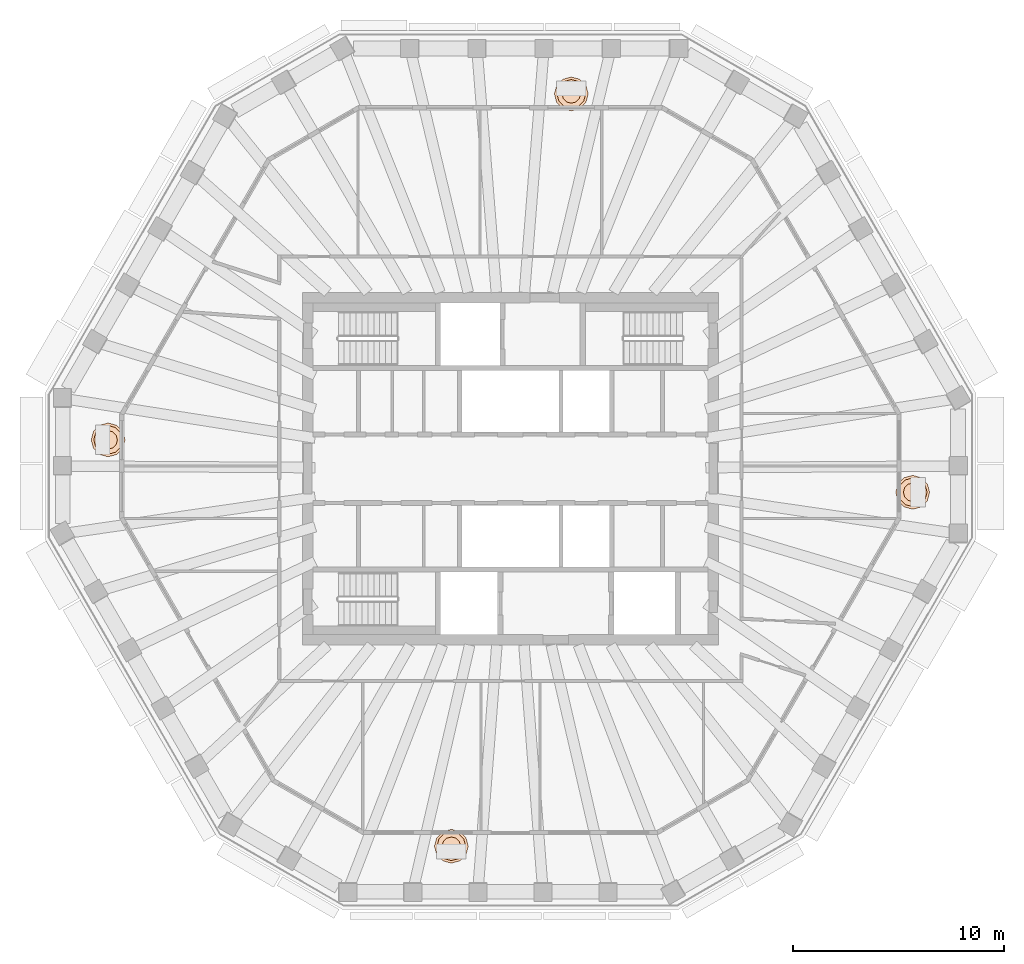
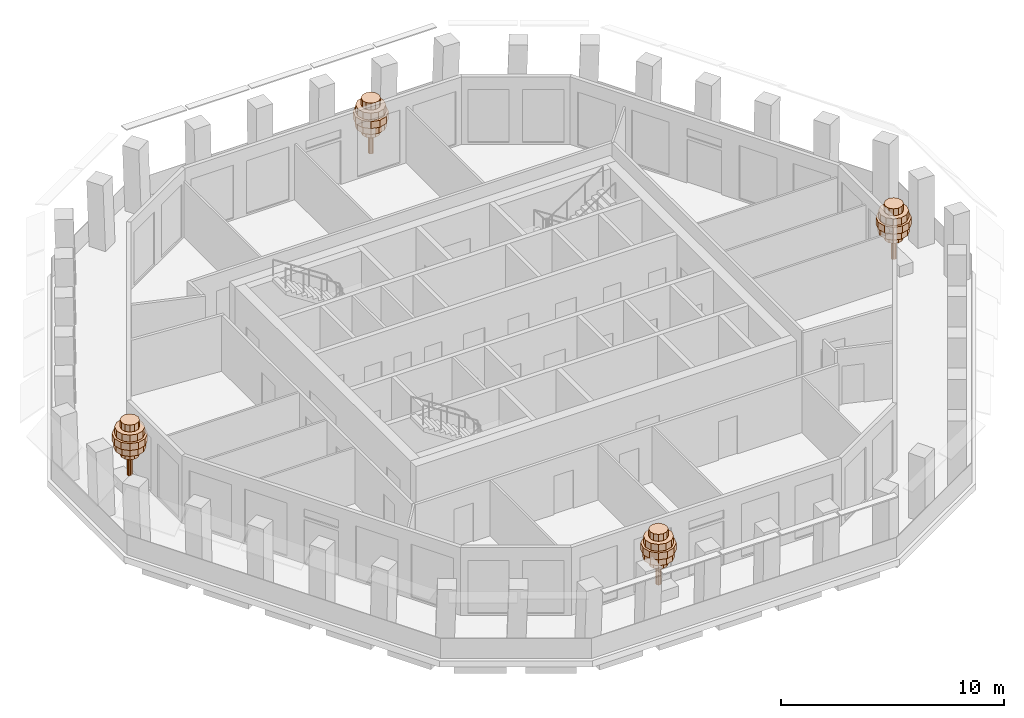
# One storey, part 11 of 11: 4 geographic elements.
"""IFC4 building model written with IfcOpenShell, lengths in metres."""

from ifc_helpers import new_model, si_unit, direction, frame, origin, place, context, subcontext, project, spatial, polyline, outline, extrude, material, type_object, element, save


model = new_model("IFC4")

# Units and contexts
model_context = context("Model", 3, precision=1e-05, world=origin(), true_north=direction((0.0, 1.0)))
body_context = subcontext(model_context, "Body", "Model", "MODEL_VIEW")
ifc_project = project(units=[si_unit("LENGTHUNIT", "METRE"), si_unit("AREAUNIT", "SQUARE_METRE"), si_unit("VOLUMEUNIT", "CUBIC_METRE"), si_unit("PLANEANGLEUNIT", "RADIAN"), si_unit("MASSUNIT", "GRAM", prefix="KILO")], contexts=[model_context])

# Site, building, storey
site_placement = place(None, origin())
site = spatial("IfcSite", under=ifc_project, at=site_placement, CompositionType="ELEMENT")
building_placement = place(site_placement, origin())
building = spatial("IfcBuilding", under=site, at=building_placement, Name="Frailejon Research Tower", CompositionType="ELEMENT")
storey_placement = place(building_placement, frame((0.0, 0.0, 312.60009765625)))
storey = spatial("IfcBuildingStorey", under=building, at=storey_placement, Name="L69", CompositionType="ELEMENT", Elevation=312.60009765625)

# Geographic elements
ifc_material = material(Name="Foliage, green")
geographic_element_type = type_object("IfcGeographicElementType", Name="Frailejon tree, loggia", PredefinedType="USERDEFINED", material=ifc_material)
geographic_element_1_placement = place(storey_placement, frame((19.050048828125, -1.115478515625, 0.599853515625)))
element("IfcGeographicElement", 1, at=geographic_element_1_placement, inside=storey, type_object=geographic_element_type, Name="Tree L69", ObjectType="TREE", PredefinedType="USERDEFINED", context=body_context, shape_type="SweptSolid", body=[
    extrude(outline(polyline([(0.1298828125, 0.0), (0.112548828125, 0.06494140625), (0.06494140625, 0.112548828125), (0.0, 0.1298828125), (-0.06494140625, 0.112548828125), (-0.112548828125, 0.06494140625), (-0.1298828125, 0.0), (-0.112548828125, -0.06494140625), (-0.06494140625, -0.112548828125), (0.0, -0.1298828125), (0.06494140625, -0.112548828125), (0.112548828125, -0.06494140625), (0.1298828125, 0.0)])), origin(), (0.0, 0.0, 1.0), 2.239990234375),
    extrude(outline(polyline([(0.43994140625, 0.0), (0.381103515625, 0.219970703125), (0.219970703125, 0.381103515625), (0.0, 0.43994140625), (-0.219970703125, 0.381103515625), (-0.381103515625, 0.219970703125), (-0.43994140625, 0.0), (-0.381103515625, -0.219970703125), (-0.219970703125, -0.381103515625), (0.0, -0.43994140625), (0.219970703125, -0.381103515625), (0.381103515625, -0.219970703125), (0.43994140625, 0.0)])), frame((0.0, 0.0, 1.10009765625)), (0.0, 0.0, 1.0), 0.3798828125),
    extrude(outline(polyline([(0.719970703125, 0.0), (0.62353515625, 0.360107421875), (0.360107421875, 0.62353515625), (0.0, 0.719970703125), (-0.360107421875, 0.62353515625), (-0.62353515625, 0.360107421875), (-0.719970703125, 0.0), (-0.62353515625, -0.360107421875), (-0.360107421875, -0.62353515625), (0.0, -0.719970703125), (0.360107421875, -0.62353515625), (0.62353515625, -0.360107421875), (0.719970703125, 0.0)])), frame((0.0, 0.0, 1.47998046875)), (0.0, 0.0, 1.0), 0.3798828125),
    extrude(outline(polyline([(0.800048828125, 0.0), (0.69287109375, 0.39990234375), (0.39990234375, 0.69287109375), (0.0, 0.800048828125), (-0.39990234375, 0.69287109375), (-0.69287109375, 0.39990234375), (-0.800048828125, 0.0), (-0.69287109375, -0.39990234375), (-0.39990234375, -0.69287109375), (0.0, -0.800048828125), (0.39990234375, -0.69287109375), (0.69287109375, -0.39990234375), (0.800048828125, 0.0)])), frame((0.0, 0.0, 1.860107421875)), (0.0, 0.0, 1.0), 0.3798828125),
    extrude(outline(polyline([(0.679931640625, 0.0), (0.5888671875, 0.340087890625), (0.340087890625, 0.5888671875), (0.0, 0.679931640625), (-0.340087890625, 0.5888671875), (-0.5888671875, 0.340087890625), (-0.679931640625, 0.0), (-0.5888671875, -0.340087890625), (-0.340087890625, -0.5888671875), (0.0, -0.679931640625), (0.340087890625, -0.5888671875), (0.5888671875, -0.340087890625), (0.679931640625, 0.0)])), frame((0.0, 0.0, 2.239990234375)), (0.0, 0.0, 1.0), 0.3798828125),
    extrude(outline(polyline([(0.43994140625, 0.0), (0.381103515625, 0.219970703125), (0.219970703125, 0.381103515625), (0.0, 0.43994140625), (-0.219970703125, 0.381103515625), (-0.381103515625, 0.219970703125), (-0.43994140625, 0.0), (-0.381103515625, -0.219970703125), (-0.219970703125, -0.381103515625), (0.0, -0.43994140625), (0.219970703125, -0.381103515625), (0.381103515625, -0.219970703125), (0.43994140625, 0.0)])), frame((0.0, 0.0, 2.6201171875)), (0.0, 0.0, 1.0), 0.3798828125),
])
geographic_element_2_placement = place(storey_placement, frame((2.883544921875, 17.75, 0.599853515625)))
element("IfcGeographicElement", 2, at=geographic_element_2_placement, inside=storey, type_object=geographic_element_type, Name="Tree L69", ObjectType="TREE", PredefinedType="USERDEFINED", context=body_context, shape_type="SweptSolid", body=[
    extrude(outline(polyline([(0.1298828125, 0.0), (0.112548828125, 0.06494140625), (0.06494140625, 0.112548828125), (0.0, 0.1298828125), (-0.06494140625, 0.112548828125), (-0.112548828125, 0.06494140625), (-0.1298828125, 0.0), (-0.112548828125, -0.06494140625), (-0.06494140625, -0.112548828125), (0.0, -0.1298828125), (0.06494140625, -0.112548828125), (0.112548828125, -0.06494140625), (0.1298828125, 0.0)])), origin(), (0.0, 0.0, 1.0), 2.239990234375),
    extrude(outline(polyline([(0.43994140625, 0.0), (0.381103515625, 0.219970703125), (0.219970703125, 0.381103515625), (0.0, 0.43994140625), (-0.219970703125, 0.381103515625), (-0.381103515625, 0.219970703125), (-0.43994140625, 0.0), (-0.381103515625, -0.219970703125), (-0.219970703125, -0.381103515625), (0.0, -0.43994140625), (0.219970703125, -0.381103515625), (0.381103515625, -0.219970703125), (0.43994140625, 0.0)])), frame((0.0, 0.0, 1.10009765625)), (0.0, 0.0, 1.0), 0.3798828125),
    extrude(outline(polyline([(0.719970703125, 0.0), (0.62353515625, 0.360107421875), (0.360107421875, 0.62353515625), (0.0, 0.719970703125), (-0.360107421875, 0.62353515625), (-0.62353515625, 0.360107421875), (-0.719970703125, 0.0), (-0.62353515625, -0.360107421875), (-0.360107421875, -0.62353515625), (0.0, -0.719970703125), (0.360107421875, -0.62353515625), (0.62353515625, -0.360107421875), (0.719970703125, 0.0)])), frame((0.0, 0.0, 1.47998046875)), (0.0, 0.0, 1.0), 0.3798828125),
    extrude(outline(polyline([(0.800048828125, 0.0), (0.69287109375, 0.39990234375), (0.39990234375, 0.69287109375), (0.0, 0.800048828125), (-0.39990234375, 0.69287109375), (-0.69287109375, 0.39990234375), (-0.800048828125, 0.0), (-0.69287109375, -0.39990234375), (-0.39990234375, -0.69287109375), (0.0, -0.800048828125), (0.39990234375, -0.69287109375), (0.69287109375, -0.39990234375), (0.800048828125, 0.0)])), frame((0.0, 0.0, 1.860107421875)), (0.0, 0.0, 1.0), 0.3798828125),
    extrude(outline(polyline([(0.679931640625, 0.0), (0.5888671875, 0.340087890625), (0.340087890625, 0.5888671875), (0.0, 0.679931640625), (-0.340087890625, 0.5888671875), (-0.5888671875, 0.340087890625), (-0.679931640625, 0.0), (-0.5888671875, -0.340087890625), (-0.340087890625, -0.5888671875), (0.0, -0.679931640625), (0.340087890625, -0.5888671875), (0.5888671875, -0.340087890625), (0.679931640625, 0.0)])), frame((0.0, 0.0, 2.239990234375)), (0.0, 0.0, 1.0), 0.3798828125),
    extrude(outline(polyline([(0.43994140625, 0.0), (0.381103515625, 0.219970703125), (0.219970703125, 0.381103515625), (0.0, 0.43994140625), (-0.219970703125, 0.381103515625), (-0.381103515625, 0.219970703125), (-0.43994140625, 0.0), (-0.381103515625, -0.219970703125), (-0.219970703125, -0.381103515625), (0.0, -0.43994140625), (0.219970703125, -0.381103515625), (0.381103515625, -0.219970703125), (0.43994140625, 0.0)])), frame((0.0, 0.0, 2.6201171875)), (0.0, 0.0, 1.0), 0.3798828125),
])
geographic_element_3_placement = place(storey_placement, frame((-19.050048828125, 1.366943359375, 0.599853515625)))
element("IfcGeographicElement", 3, at=geographic_element_3_placement, inside=storey, type_object=geographic_element_type, Name="Tree L69", ObjectType="TREE", PredefinedType="USERDEFINED", context=body_context, shape_type="SweptSolid", body=[
    extrude(outline(polyline([(0.1298828125, 0.0), (0.112548828125, 0.06494140625), (0.06494140625, 0.112548828125), (0.0, 0.1298828125), (-0.06494140625, 0.112548828125), (-0.112548828125, 0.06494140625), (-0.1298828125, 0.0), (-0.112548828125, -0.06494140625), (-0.06494140625, -0.112548828125), (0.0, -0.1298828125), (0.06494140625, -0.112548828125), (0.112548828125, -0.06494140625), (0.1298828125, 0.0)])), origin(), (0.0, 0.0, 1.0), 2.239990234375),
    extrude(outline(polyline([(0.43994140625, 0.0), (0.381103515625, 0.219970703125), (0.219970703125, 0.381103515625), (0.0, 0.43994140625), (-0.219970703125, 0.381103515625), (-0.381103515625, 0.219970703125), (-0.43994140625, 0.0), (-0.381103515625, -0.219970703125), (-0.219970703125, -0.381103515625), (0.0, -0.43994140625), (0.219970703125, -0.381103515625), (0.381103515625, -0.219970703125), (0.43994140625, 0.0)])), frame((0.0, 0.0, 1.10009765625)), (0.0, 0.0, 1.0), 0.3798828125),
    extrude(outline(polyline([(0.719970703125, 0.0), (0.62353515625, 0.360107421875), (0.360107421875, 0.62353515625), (0.0, 0.719970703125), (-0.360107421875, 0.62353515625), (-0.62353515625, 0.360107421875), (-0.719970703125, 0.0), (-0.62353515625, -0.360107421875), (-0.360107421875, -0.62353515625), (0.0, -0.719970703125), (0.360107421875, -0.62353515625), (0.62353515625, -0.360107421875), (0.719970703125, 0.0)])), frame((0.0, 0.0, 1.47998046875)), (0.0, 0.0, 1.0), 0.3798828125),
    extrude(outline(polyline([(0.800048828125, 0.0), (0.69287109375, 0.39990234375), (0.39990234375, 0.69287109375), (0.0, 0.800048828125), (-0.39990234375, 0.69287109375), (-0.69287109375, 0.39990234375), (-0.800048828125, 0.0), (-0.69287109375, -0.39990234375), (-0.39990234375, -0.69287109375), (0.0, -0.800048828125), (0.39990234375, -0.69287109375), (0.69287109375, -0.39990234375), (0.800048828125, 0.0)])), frame((0.0, 0.0, 1.860107421875)), (0.0, 0.0, 1.0), 0.3798828125),
    extrude(outline(polyline([(0.679931640625, 0.0), (0.5888671875, 0.340087890625), (0.340087890625, 0.5888671875), (0.0, 0.679931640625), (-0.340087890625, 0.5888671875), (-0.5888671875, 0.340087890625), (-0.679931640625, 0.0), (-0.5888671875, -0.340087890625), (-0.340087890625, -0.5888671875), (0.0, -0.679931640625), (0.340087890625, -0.5888671875), (0.5888671875, -0.340087890625), (0.679931640625, 0.0)])), frame((0.0, 0.0, 2.239990234375)), (0.0, 0.0, 1.0), 0.3798828125),
    extrude(outline(polyline([(0.43994140625, 0.0), (0.381103515625, 0.219970703125), (0.219970703125, 0.381103515625), (0.0, 0.43994140625), (-0.219970703125, 0.381103515625), (-0.381103515625, 0.219970703125), (-0.43994140625, 0.0), (-0.381103515625, -0.219970703125), (-0.219970703125, -0.381103515625), (0.0, -0.43994140625), (0.219970703125, -0.381103515625), (0.381103515625, -0.219970703125), (0.43994140625, 0.0)])), frame((0.0, 0.0, 2.6201171875)), (0.0, 0.0, 1.0), 0.3798828125),
])
geographic_element_4_placement = place(storey_placement, frame((-2.79638671875, -17.875732421875, 0.599853515625)))
element("IfcGeographicElement", 4, at=geographic_element_4_placement, inside=storey, type_object=geographic_element_type, Name="Tree L69", ObjectType="TREE", PredefinedType="USERDEFINED", context=body_context, shape_type="SweptSolid", body=[
    extrude(outline(polyline([(0.1298828125, 0.0), (0.112548828125, 0.06494140625), (0.06494140625, 0.112548828125), (0.0, 0.1298828125), (-0.06494140625, 0.112548828125), (-0.112548828125, 0.06494140625), (-0.1298828125, 0.0), (-0.112548828125, -0.06494140625), (-0.06494140625, -0.112548828125), (0.0, -0.1298828125), (0.06494140625, -0.112548828125), (0.112548828125, -0.06494140625), (0.1298828125, 0.0)])), origin(), (0.0, 0.0, 1.0), 2.239990234375),
    extrude(outline(polyline([(0.43994140625, 0.0), (0.381103515625, 0.219970703125), (0.219970703125, 0.381103515625), (0.0, 0.43994140625), (-0.219970703125, 0.381103515625), (-0.381103515625, 0.219970703125), (-0.43994140625, 0.0), (-0.381103515625, -0.219970703125), (-0.219970703125, -0.381103515625), (0.0, -0.43994140625), (0.219970703125, -0.381103515625), (0.381103515625, -0.219970703125), (0.43994140625, 0.0)])), frame((0.0, 0.0, 1.10009765625)), (0.0, 0.0, 1.0), 0.3798828125),
    extrude(outline(polyline([(0.719970703125, 0.0), (0.62353515625, 0.360107421875), (0.360107421875, 0.62353515625), (0.0, 0.719970703125), (-0.360107421875, 0.62353515625), (-0.62353515625, 0.360107421875), (-0.719970703125, 0.0), (-0.62353515625, -0.360107421875), (-0.360107421875, -0.62353515625), (0.0, -0.719970703125), (0.360107421875, -0.62353515625), (0.62353515625, -0.360107421875), (0.719970703125, 0.0)])), frame((0.0, 0.0, 1.47998046875)), (0.0, 0.0, 1.0), 0.3798828125),
    extrude(outline(polyline([(0.800048828125, 0.0), (0.69287109375, 0.39990234375), (0.39990234375, 0.69287109375), (0.0, 0.800048828125), (-0.39990234375, 0.69287109375), (-0.69287109375, 0.39990234375), (-0.800048828125, 0.0), (-0.69287109375, -0.39990234375), (-0.39990234375, -0.69287109375), (0.0, -0.800048828125), (0.39990234375, -0.69287109375), (0.69287109375, -0.39990234375), (0.800048828125, 0.0)])), frame((0.0, 0.0, 1.860107421875)), (0.0, 0.0, 1.0), 0.3798828125),
    extrude(outline(polyline([(0.679931640625, 0.0), (0.5888671875, 0.340087890625), (0.340087890625, 0.5888671875), (0.0, 0.679931640625), (-0.340087890625, 0.5888671875), (-0.5888671875, 0.340087890625), (-0.679931640625, 0.0), (-0.5888671875, -0.340087890625), (-0.340087890625, -0.5888671875), (0.0, -0.679931640625), (0.340087890625, -0.5888671875), (0.5888671875, -0.340087890625), (0.679931640625, 0.0)])), frame((0.0, 0.0, 2.239990234375)), (0.0, 0.0, 1.0), 0.3798828125),
    extrude(outline(polyline([(0.43994140625, 0.0), (0.381103515625, 0.219970703125), (0.219970703125, 0.381103515625), (0.0, 0.43994140625), (-0.219970703125, 0.381103515625), (-0.381103515625, 0.219970703125), (-0.43994140625, 0.0), (-0.381103515625, -0.219970703125), (-0.219970703125, -0.381103515625), (0.0, -0.43994140625), (0.219970703125, -0.381103515625), (0.381103515625, -0.219970703125), (0.43994140625, 0.0)])), frame((0.0, 0.0, 2.6201171875)), (0.0, 0.0, 1.0), 0.3798828125),
])

save(model, "model.ifc")
